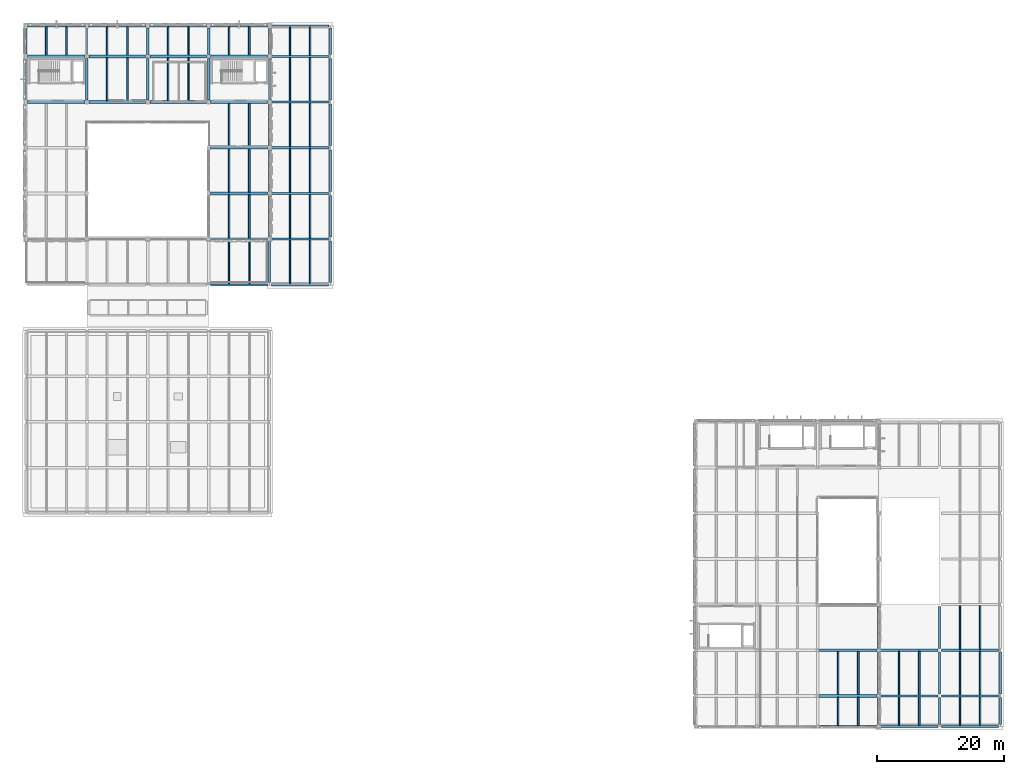
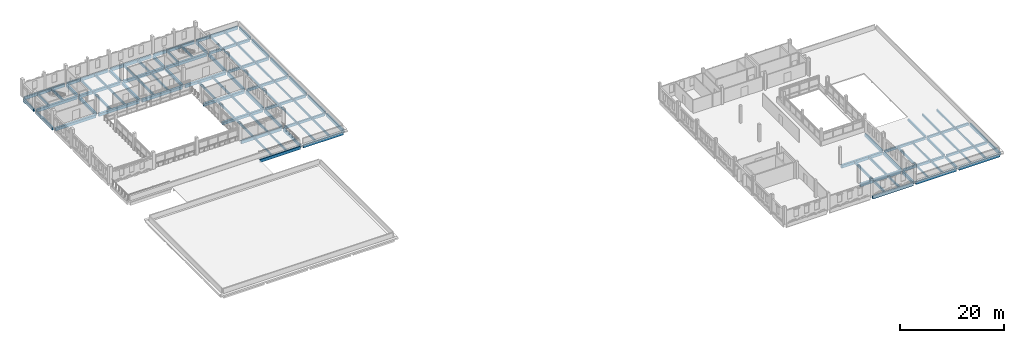
# One storey, part 21 of 50: 106 beams.
"""IFC4 building model written with IfcOpenShell, lengths in metres."""

from ifc_helpers import new_model, si_unit, direction, frame, origin, origin_2d, place, context, subcontext, project, spatial, rectangle, extrude, material, material_profile, profile_set, type_object, element, save


model = new_model("IFC4")

# Units and contexts
model_context = context("Model", 3, precision=1e-05, world=origin(), true_north=direction((0.0, 1.0)))
body_context = subcontext(model_context, "Body", "Model", "MODEL_VIEW")
ifc_project = project(units=[si_unit("LENGTHUNIT", "METRE"), si_unit("AREAUNIT", "SQUARE_METRE"), si_unit("VOLUMEUNIT", "CUBIC_METRE"), si_unit("PLANEANGLEUNIT", "RADIAN"), si_unit("MASSUNIT", "GRAM", prefix="KILO")], contexts=[model_context])

# Site, building, storey
site_placement = place(None, origin())
site = spatial("IfcSite", under=ifc_project, at=site_placement, CompositionType="ELEMENT")
building_placement = place(site_placement, origin())
building = spatial("IfcBuilding", under=site, at=building_placement, Name="Asteropetra Specialist Clinic", CompositionType="ELEMENT")
storey_placement = place(building_placement, frame((0.0, 0.0, 16.659912109375)))
storey = spatial("IfcBuildingStorey", under=building, at=storey_placement, Name="L04", CompositionType="ELEMENT", Elevation=16.659912109375)

# Beams
ifc_material_1 = material(Name="Concrete C35/45", Category="concrete")
ifc_material_profile_1 = material_profile(ifc_material_1, rectangle(XDim=0.320068359375, YDim=0.52001953125, at=origin_2d()), Name="RCB 320x520")
ifc_profile_set_1 = profile_set([ifc_material_profile_1], Name="Concrete C35/45")
beam_type_1 = type_object("IfcBeamType", Name="BM-RC320x520", PredefinedType="BEAM", material=ifc_profile_set_1)
beam_1_placement = place(storey_placement, frame((144.0, 0.27490234375, -0.510009765625), z_axis=(0.0, 1.0, 0.0), x_axis=(-1.0, 0.0, 0.0)))
element("IfcBeam", 1, at=beam_1_placement, inside=storey, type_object=beam_type_1, Name="Beam BBM11-1941", PredefinedType="BEAM", context=body_context, shape_type="SweptSolid", body=[
    extrude(rectangle(XDim=0.320068359375, YDim=0.52001953125, at=origin_2d()), origin(), (0.0, 0.0, 1.0), 4.25),
])
for number, where, z_axis, x_axis, name in (
    (2, (144.0, 5.074951171875, -0.510009765625), (0.0, 1.0, 0.0), (-1.0, 0.0, 0.0), "Beam BBM11-1947"),
    (3, (144.0, 12.27490234375, -0.510009765625), (0.0, 1.0, 0.0), (-1.0, 0.0, 0.0), "Beam BBM11-1953"),
):
    element("IfcBeam", number, at=place(storey_placement, frame(where, z_axis=z_axis, x_axis=x_axis)), inside=storey, type_object=beam_type_1, Name=name, PredefinedType="BEAM", context=body_context, shape_type="SweptSolid", body=[
        extrude(rectangle(XDim=0.320068359375, YDim=0.52001953125, at=origin_2d()), origin(), (0.0, 0.0, 1.0), 6.650146484375),
    ])
ifc_material_2 = material(Name="Concrete C35/45", Category="concrete")
ifc_material_profile_2 = material_profile(ifc_material_2, rectangle(XDim=0.35009765625, YDim=0.550048828125, at=origin_2d()), Name="RCB 350x550")
ifc_profile_set_2 = profile_set([ifc_material_profile_2], Name="Concrete C35/45")
beam_type_2 = type_object("IfcBeamType", Name="BM-RC350x550", PredefinedType="BEAM", material=ifc_profile_set_2)
for number, where, z_axis, x_axis, name in (
    (4, (134.675048828125, 4.800048828125, -0.52490234375), (1.0, 0.0, 0.0), (0.0, 1.0, 0.0), "Beam BBM10-1930"),
    (5, (144.27490234375, 4.800048828125, -0.52490234375), (1.0, 0.0, 0.0), (0.0, 1.0, 0.0), "Beam BBM10-1931"),
    (6, (134.675048828125, 12.0, -0.52490234375), (1.0, 0.0, 0.0), (0.0, 1.0, 0.0), "Beam BBM10-1932"),
    (7, (144.27490234375, 12.0, -0.52490234375), (1.0, 0.0, 0.0), (0.0, 1.0, 0.0), "Beam BBM10-1933"),
):
    element("IfcBeam", number, at=place(storey_placement, frame(where, z_axis=z_axis, x_axis=x_axis)), inside=storey, type_object=beam_type_2, Name=name, PredefinedType="BEAM", context=body_context, shape_type="SweptSolid", body=[
        extrude(rectangle(XDim=0.35009765625, YDim=0.550048828125, at=origin_2d()), origin(), (0.0, 0.0, 1.0), 9.050048828125),
    ])
ifc_material_3 = material(Name="Concrete C35/45", Category="concrete")
ifc_material_profile_3 = material_profile(ifc_material_3, rectangle(XDim=0.35009765625, YDim=0.60009765625, at=origin_2d()), Name="RCB 350x600")
ifc_profile_set_3 = profile_set([ifc_material_profile_3], Name="Concrete C35/45")
beam_type_3 = type_object("IfcBeamType", Name="BM-RC350x600", PredefinedType="BEAM", material=ifc_profile_set_3)
for number, where, z_axis, x_axis, name in (
    (8, (38.72509765625, 76.800048828125, -0.56982421875), (1.0, 0.0, 0.0), (0.0, 1.0, 0.0), "Beam BBM09-1832"),
    (9, (38.72509765625, 84.0, -0.56982421875), (1.0, 0.0, 0.0), (0.0, 1.0, 0.0), "Beam BBM09-1833"),
    (10, (38.72509765625, 91.199951171875, -0.56982421875), (1.0, 0.0, 0.0), (0.0, 1.0, 0.0), "Beam BBM09-1834"),
    (11, (38.72509765625, 98.39990234375, -0.56982421875), (1.0, 0.0, 0.0), (0.0, 1.0, 0.0), "Beam BBM09-1835"),
    (12, (38.72509765625, 105.60009765625, -0.56982421875), (1.0, 0.0, 0.0), (0.0, 1.0, 0.0), "Beam BBM09-1836"),
):
    element("IfcBeam", number, at=place(storey_placement, frame(where, z_axis=z_axis, x_axis=x_axis)), inside=storey, type_object=beam_type_3, Name=name, PredefinedType="BEAM", context=body_context, shape_type="SweptSolid", body=[
        extrude(rectangle(XDim=0.35009765625, YDim=0.60009765625, at=origin_2d()), origin(), (0.0, 0.0, 1.0), 8.949951171875),
    ])
ifc_material_4 = material(Name="Concrete C35/45", Category="concrete")
ifc_material_profile_4 = material_profile(ifc_material_4, rectangle(XDim=0.39990234375, YDim=0.60009765625, at=origin_2d()), Name="RCB 400x600")
ifc_profile_set_4 = profile_set([ifc_material_profile_4], Name="Concrete C35/45")
beam_type_4 = type_object("IfcBeamType", Name="BM-RC400x600", PredefinedType="BEAM", material=ifc_profile_set_4)
for number, where, z_axis, x_axis, name in (
    (13, (9.60009765625, 98.72509765625, -0.579833984375), (0.0, 1.0, 0.0), (-1.0, 0.0, 0.0), "Beam BBM08-1810"),
    (14, (19.199951171875, 98.72509765625, -0.579833984375), (0.0, 1.0, 0.0), (-1.0, 0.0, 0.0), "Beam BBM08-1811"),
    (15, (28.800048828125, 98.72509765625, -0.579833984375), (0.0, 1.0, 0.0), (-1.0, 0.0, 0.0), "Beam BBM08-1812"),
):
    element("IfcBeam", number, at=place(storey_placement, frame(where, z_axis=z_axis, x_axis=x_axis)), inside=storey, type_object=beam_type_4, Name=name, PredefinedType="BEAM", context=body_context, shape_type="SweptSolid", body=[
        extrude(rectangle(XDim=0.39990234375, YDim=0.60009765625, at=origin_2d()), origin(), (0.0, 0.0, 1.0), 6.5498046875),
    ])
for number, where, z_axis, x_axis, name in (
    (16, (9.60009765625, 105.925048828125, -0.579833984375), (0.0, 1.0, 0.0), (-1.0, 0.0, 0.0), "Beam BBM08-1819"),
    (17, (19.199951171875, 105.925048828125, -0.579833984375), (0.0, 1.0, 0.0), (-1.0, 0.0, 0.0), "Beam BBM08-1820"),
    (18, (28.800048828125, 105.925048828125, -0.579833984375), (0.0, 1.0, 0.0), (-1.0, 0.0, 0.0), "Beam BBM08-1821"),
):
    element("IfcBeam", number, at=place(storey_placement, frame(where, z_axis=z_axis, x_axis=x_axis)), inside=storey, type_object=beam_type_4, Name=name, PredefinedType="BEAM", context=body_context, shape_type="SweptSolid", body=[
        extrude(rectangle(XDim=0.39990234375, YDim=0.60009765625, at=origin_2d()), origin(), (0.0, 0.0, 1.0), 4.125),
    ])
ifc_material_5 = material(Name="Concrete C35/45", Category="concrete")
ifc_material_profile_5 = material_profile(ifc_material_5, rectangle(XDim=0.449951171875, YDim=0.64990234375, at=origin_2d()), Name="RCB 450x650")
ifc_profile_set_5 = profile_set([ifc_material_profile_5], Name="Concrete C35/45")
beam_type_5 = type_object("IfcBeamType", Name="BM-RC450x650", PredefinedType="BEAM", material=ifc_profile_set_5)
for number, where, z_axis, x_axis, name in (
    (19, (29.125, 84.0, -0.60498046875), (1.0, 0.0, 0.0), (0.0, 1.0, 0.0), "Beam BBM06-1776"),
    (20, (29.125, 91.199951171875, -0.60498046875), (1.0, 0.0, 0.0), (0.0, 1.0, 0.0), "Beam BBM06-1778"),
):
    element("IfcBeam", number, at=place(storey_placement, frame(where, z_axis=z_axis, x_axis=x_axis)), inside=storey, type_object=beam_type_5, Name=name, PredefinedType="BEAM", context=body_context, shape_type="SweptSolid", body=[
        extrude(rectangle(XDim=0.449951171875, YDim=0.64990234375, at=origin_2d()), origin(), (0.0, 0.0, 1.0), 8.949951171875),
    ])
beam_2_placement = place(storey_placement, frame((0.27490234375, 98.39990234375, -0.60498046875), z_axis=(1.0, 0.0, 0.0), x_axis=(0.0, 1.0, 0.0)))
element("IfcBeam", 21, at=beam_2_placement, inside=storey, type_object=beam_type_5, Name="Beam BBM06-1779", PredefinedType="BEAM", context=body_context, shape_type="SweptSolid", body=[
    extrude(rectangle(XDim=0.449951171875, YDim=0.64990234375, at=origin_2d()), origin(), (0.0, 0.0, 1.0), 9.0),
])
beam_3_placement = place(storey_placement, frame((9.925048828125, 98.39990234375, -0.60498046875), z_axis=(1.0, 0.0, 0.0), x_axis=(0.0, 1.0, 0.0)))
element("IfcBeam", 22, at=beam_3_placement, inside=storey, type_object=beam_type_5, Name="Beam BBM06-1780", PredefinedType="BEAM", context=body_context, shape_type="SweptSolid", body=[
    extrude(rectangle(XDim=0.449951171875, YDim=0.64990234375, at=origin_2d()), origin(), (0.0, 0.0, 1.0), 8.949951171875),
])
beam_4_placement = place(storey_placement, frame((19.52490234375, 98.39990234375, -0.60498046875), z_axis=(1.0, 0.0, 0.0), x_axis=(0.0, 1.0, 0.0)))
element("IfcBeam", 23, at=beam_4_placement, inside=storey, type_object=beam_type_5, Name="Beam BBM06-1781", PredefinedType="BEAM", context=body_context, shape_type="SweptSolid", body=[
    extrude(rectangle(XDim=0.449951171875, YDim=0.64990234375, at=origin_2d()), origin(), (0.0, 0.0, 1.0), 8.9501953125),
])
beam_5_placement = place(storey_placement, frame((29.125, 98.39990234375, -0.60498046875), z_axis=(1.0, 0.0, 0.0), x_axis=(0.0, 1.0, 0.0)))
element("IfcBeam", 24, at=beam_5_placement, inside=storey, type_object=beam_type_5, Name="Beam BBM06-1782", PredefinedType="BEAM", context=body_context, shape_type="SweptSolid", body=[
    extrude(rectangle(XDim=0.449951171875, YDim=0.64990234375, at=origin_2d()), origin(), (0.0, 0.0, 1.0), 8.949951171875),
])
beam_6_placement = place(storey_placement, frame((0.27490234375, 105.60009765625, -0.60498046875), z_axis=(1.0, 0.0, 0.0), x_axis=(0.0, 1.0, 0.0)))
element("IfcBeam", 25, at=beam_6_placement, inside=storey, type_object=beam_type_5, Name="Beam BBM06-1783", PredefinedType="BEAM", context=body_context, shape_type="SweptSolid", body=[
    extrude(rectangle(XDim=0.449951171875, YDim=0.64990234375, at=origin_2d()), origin(), (0.0, 0.0, 1.0), 9.0),
])
beam_7_placement = place(storey_placement, frame((9.925048828125, 105.60009765625, -0.60498046875), z_axis=(1.0, 0.0, 0.0), x_axis=(0.0, 1.0, 0.0)))
element("IfcBeam", 26, at=beam_7_placement, inside=storey, type_object=beam_type_5, Name="Beam BBM06-1784", PredefinedType="BEAM", context=body_context, shape_type="SweptSolid", body=[
    extrude(rectangle(XDim=0.449951171875, YDim=0.64990234375, at=origin_2d()), origin(), (0.0, 0.0, 1.0), 8.949951171875),
])
beam_8_placement = place(storey_placement, frame((19.52490234375, 105.60009765625, -0.60498046875), z_axis=(1.0, 0.0, 0.0), x_axis=(0.0, 1.0, 0.0)))
element("IfcBeam", 27, at=beam_8_placement, inside=storey, type_object=beam_type_5, Name="Beam BBM06-1785", PredefinedType="BEAM", context=body_context, shape_type="SweptSolid", body=[
    extrude(rectangle(XDim=0.449951171875, YDim=0.64990234375, at=origin_2d()), origin(), (0.0, 0.0, 1.0), 8.9501953125),
])
beam_9_placement = place(storey_placement, frame((29.125, 105.60009765625, -0.60498046875), z_axis=(1.0, 0.0, 0.0), x_axis=(0.0, 1.0, 0.0)))
element("IfcBeam", 28, at=beam_9_placement, inside=storey, type_object=beam_type_5, Name="Beam BBM06-1786", PredefinedType="BEAM", context=body_context, shape_type="SweptSolid", body=[
    extrude(rectangle(XDim=0.449951171875, YDim=0.64990234375, at=origin_2d()), origin(), (0.0, 0.0, 1.0), 8.949951171875),
])
ifc_material_6 = material(Name="Concrete C35/45", Category="concrete")
ifc_material_profile_6 = material_profile(ifc_material_6, rectangle(XDim=0.449951171875, YDim=0.699951171875, at=origin_2d()), Name="RCB 450x700")
ifc_profile_set_6 = profile_set([ifc_material_profile_6], Name="Concrete C35/45")
beam_type_6 = type_object("IfcBeamType", Name="BM-RC450x700", PredefinedType="BEAM", material=ifc_profile_set_6)
for number, where, z_axis, x_axis, name in (
    (29, (125.074951171875, 4.800048828125, -0.64990234375), (1.0, 0.0, 0.0), (0.0, 1.0, 0.0), "Beam BBM05-1709"),
    (30, (125.074951171875, 12.0, -0.64990234375), (1.0, 0.0, 0.0), (0.0, 1.0, 0.0), "Beam BBM05-1712"),
):
    element("IfcBeam", number, at=place(storey_placement, frame(where, z_axis=z_axis, x_axis=x_axis)), inside=storey, type_object=beam_type_6, Name=name, PredefinedType="BEAM", context=body_context, shape_type="SweptSolid", body=[
        extrude(rectangle(XDim=0.449951171875, YDim=0.699951171875, at=origin_2d()), origin(), (0.0, 0.0, 1.0), 9.050048828125),
    ])
ifc_material_7 = material(Name="Concrete C35/45", Category="concrete")
ifc_material_profile_7 = material_profile(ifc_material_7, rectangle(XDim=0.239990234375, YDim=0.449951171875, at=origin_2d()), Name="RCJ 240x450")
ifc_profile_set_7 = profile_set([ifc_material_profile_7], Name="Concrete C35/45")
beam_type_7 = type_object("IfcBeamType", Name="JST-RC240x450", PredefinedType="JOIST", material=ifc_profile_set_7)
for number, where, z_axis, x_axis, name in (
    (31, (32.0, 69.760009765625, -0.534912109375), (0.0, 1.0, 0.0), (-1.0, 0.0, 0.0), "Joist JJST03-1702"),
    (32, (35.199951171875, 69.760009765625, -0.534912109375), (0.0, 1.0, 0.0), (-1.0, 0.0, 0.0), "Joist JJST03-1703"),
):
    element("IfcBeam", number, at=place(storey_placement, frame(where, z_axis=z_axis, x_axis=x_axis)), inside=storey, type_object=beam_type_7, Name=name, PredefinedType="JOIST", context=body_context, shape_type="SweptSolid", body=[
        extrude(rectangle(XDim=0.239990234375, YDim=0.449951171875, at=origin_2d()), origin(), (0.0, 0.0, 1.0), 6.8798828125),
    ])
for number, where, z_axis, x_axis, name in (
    (33, (41.60009765625, 69.760009765625, -0.494873046875), (0.0, 1.0, 0.0), (-1.0, 0.0, 0.0), "Joist JJST03-1839"),
    (34, (44.800048828125, 69.760009765625, -0.494873046875), (0.0, 1.0, 0.0), (-1.0, 0.0, 0.0), "Joist JJST03-1840"),
):
    element("IfcBeam", number, at=place(storey_placement, frame(where, z_axis=z_axis, x_axis=x_axis)), inside=storey, type_object=beam_type_7, Name=name, PredefinedType="JOIST", context=body_context, shape_type="SweptSolid", body=[
        extrude(rectangle(XDim=0.239990234375, YDim=0.449951171875, at=origin_2d()), origin(), (0.0, 0.0, 1.0), 6.864990234375),
    ])
for number, where, z_axis, x_axis, name in (
    (35, (41.60009765625, 76.97509765625, -0.494873046875), (0.0, 1.0, 0.0), (-1.0, 0.0, 0.0), "Joist JJST03-1842"),
    (36, (44.800048828125, 76.97509765625, -0.494873046875), (0.0, 1.0, 0.0), (-1.0, 0.0, 0.0), "Joist JJST03-1843"),
    (37, (41.60009765625, 84.175048828125, -0.494873046875), (0.0, 1.0, 0.0), (-1.0, 0.0, 0.0), "Joist JJST03-1845"),
    (38, (44.800048828125, 84.175048828125, -0.494873046875), (0.0, 1.0, 0.0), (-1.0, 0.0, 0.0), "Joist JJST03-1846"),
):
    element("IfcBeam", number, at=place(storey_placement, frame(where, z_axis=z_axis, x_axis=x_axis)), inside=storey, type_object=beam_type_7, Name=name, PredefinedType="JOIST", context=body_context, shape_type="SweptSolid", body=[
        extrude(rectangle(XDim=0.239990234375, YDim=0.449951171875, at=origin_2d()), origin(), (0.0, 0.0, 1.0), 6.849853515625),
    ])
for number, where, z_axis, x_axis, name in (
    (39, (41.60009765625, 91.375, -0.494873046875), (0.0, 1.0, 0.0), (-1.0, 0.0, 0.0), "Joist JJST03-1848"),
    (40, (44.800048828125, 91.375, -0.494873046875), (0.0, 1.0, 0.0), (-1.0, 0.0, 0.0), "Joist JJST03-1849"),
    (41, (41.60009765625, 98.574951171875, -0.494873046875), (0.0, 1.0, 0.0), (-1.0, 0.0, 0.0), "Joist JJST03-1851"),
    (42, (44.800048828125, 98.574951171875, -0.494873046875), (0.0, 1.0, 0.0), (-1.0, 0.0, 0.0), "Joist JJST03-1852"),
):
    element("IfcBeam", number, at=place(storey_placement, frame(where, z_axis=z_axis, x_axis=x_axis)), inside=storey, type_object=beam_type_7, Name=name, PredefinedType="JOIST", context=body_context, shape_type="SweptSolid", body=[
        extrude(rectangle(XDim=0.239990234375, YDim=0.449951171875, at=origin_2d()), origin(), (0.0, 0.0, 1.0), 6.85009765625),
    ])
for number, where, z_axis, x_axis, name in (
    (43, (41.60009765625, 105.77490234375, -0.494873046875), (0.0, 1.0, 0.0), (-1.0, 0.0, 0.0), "Joist JJST03-1854"),
    (44, (44.800048828125, 105.77490234375, -0.494873046875), (0.0, 1.0, 0.0), (-1.0, 0.0, 0.0), "Joist JJST03-1855"),
    (45, (137.60009765625, 0.159912109375, -0.474853515625), (0.0, 1.0, 0.0), (-1.0, 0.0, 0.0), "Joist JJST03-1943"),
    (46, (140.800048828125, 0.159912109375, -0.474853515625), (0.0, 1.0, 0.0), (-1.0, 0.0, 0.0), "Joist JJST03-1944"),
    (47, (147.199951171875, 0.159912109375, -0.474853515625), (0.0, 1.0, 0.0), (-1.0, 0.0, 0.0), "Joist JJST03-1945"),
    (48, (150.39990234375, 0.159912109375, -0.474853515625), (0.0, 1.0, 0.0), (-1.0, 0.0, 0.0), "Joist JJST03-1946"),
):
    element("IfcBeam", number, at=place(storey_placement, frame(where, z_axis=z_axis, x_axis=x_axis)), inside=storey, type_object=beam_type_7, Name=name, PredefinedType="JOIST", context=body_context, shape_type="SweptSolid", body=[
        extrude(rectangle(XDim=0.239990234375, YDim=0.449951171875, at=origin_2d()), origin(), (0.0, 0.0, 1.0), 4.465087890625),
    ])
for number, where, z_axis, x_axis, name in (
    (49, (137.60009765625, 4.97509765625, -0.474853515625), (0.0, 1.0, 0.0), (-1.0, 0.0, 0.0), "Joist JJST03-1949"),
    (50, (140.800048828125, 4.97509765625, -0.474853515625), (0.0, 1.0, 0.0), (-1.0, 0.0, 0.0), "Joist JJST03-1950"),
    (51, (147.199951171875, 4.97509765625, -0.474853515625), (0.0, 1.0, 0.0), (-1.0, 0.0, 0.0), "Joist JJST03-1951"),
    (52, (150.39990234375, 4.97509765625, -0.474853515625), (0.0, 1.0, 0.0), (-1.0, 0.0, 0.0), "Joist JJST03-1952"),
    (53, (147.199951171875, 12.175048828125, -0.474853515625), (0.0, 1.0, 0.0), (-1.0, 0.0, 0.0), "Joist JJST03-1955"),
    (54, (150.39990234375, 12.175048828125, -0.474853515625), (0.0, 1.0, 0.0), (-1.0, 0.0, 0.0), "Joist JJST03-1956"),
):
    element("IfcBeam", number, at=place(storey_placement, frame(where, z_axis=z_axis, x_axis=x_axis)), inside=storey, type_object=beam_type_7, Name=name, PredefinedType="JOIST", context=body_context, shape_type="SweptSolid", body=[
        extrude(rectangle(XDim=0.239990234375, YDim=0.449951171875, at=origin_2d()), origin(), (0.0, 0.0, 1.0), 6.849853515625),
    ])
ifc_material_8 = material(Name="Concrete C35/45", Category="concrete")
ifc_material_profile_8 = material_profile(ifc_material_8, rectangle(XDim=0.260009765625, YDim=0.47998046875, at=origin_2d()), Name="RCJ 260x480")
ifc_profile_set_8 = profile_set([ifc_material_profile_8], Name="Concrete C35/45")
beam_type_8 = type_object("IfcBeamType", Name="JST-RC260x480", PredefinedType="JOIST", material=ifc_profile_set_8)
for number, where, z_axis, x_axis, name in (
    (55, (32.0, 76.9599609375, -0.52001953125), (0.0, 1.0, 0.0), (-1.0, 0.0, 0.0), "Joist JJST02-1795"),
    (56, (35.199951171875, 76.9599609375, -0.52001953125), (0.0, 1.0, 0.0), (-1.0, 0.0, 0.0), "Joist JJST02-1796"),
):
    element("IfcBeam", number, at=place(storey_placement, frame(where, z_axis=z_axis, x_axis=x_axis)), inside=storey, type_object=beam_type_8, Name=name, PredefinedType="JOIST", context=body_context, shape_type="SweptSolid", body=[
        extrude(rectangle(XDim=0.260009765625, YDim=0.47998046875, at=origin_2d()), origin(), (0.0, 0.0, 1.0), 6.81494140625),
    ])
for number, where, z_axis, x_axis, name in (
    (57, (32.0, 84.22509765625, -0.52001953125), (0.0, 1.0, 0.0), (-1.0, 0.0, 0.0), "Joist JJST02-1801"),
    (58, (35.199951171875, 84.22509765625, -0.52001953125), (0.0, 1.0, 0.0), (-1.0, 0.0, 0.0), "Joist JJST02-1802"),
    (59, (32.0, 91.425048828125, -0.52001953125), (0.0, 1.0, 0.0), (-1.0, 0.0, 0.0), "Joist JJST02-1807"),
    (60, (35.199951171875, 91.425048828125, -0.52001953125), (0.0, 1.0, 0.0), (-1.0, 0.0, 0.0), "Joist JJST02-1808"),
    (61, (12.800048828125, 98.625, -0.52001953125), (0.0, 1.0, 0.0), (-1.0, 0.0, 0.0), "Joist JJST02-1814"),
    (62, (16.0, 98.625, -0.52001953125), (0.0, 1.0, 0.0), (-1.0, 0.0, 0.0), "Joist JJST02-1815"),
    (63, (22.39990234375, 98.625, -0.52001953125), (0.0, 1.0, 0.0), (-1.0, 0.0, 0.0), "Joist JJST02-1816"),
    (64, (25.60009765625, 98.625, -0.52001953125), (0.0, 1.0, 0.0), (-1.0, 0.0, 0.0), "Joist JJST02-1817"),
):
    element("IfcBeam", number, at=place(storey_placement, frame(where, z_axis=z_axis, x_axis=x_axis)), inside=storey, type_object=beam_type_8, Name=name, PredefinedType="JOIST", context=body_context, shape_type="SweptSolid", body=[
        extrude(rectangle(XDim=0.260009765625, YDim=0.47998046875, at=origin_2d()), origin(), (0.0, 0.0, 1.0), 6.75),
    ])
for number, where, z_axis, x_axis, name in (
    (65, (3.199951171875, 105.824951171875, -0.52001953125), (0.0, 1.0, 0.0), (-1.0, 0.0, 0.0), "Joist JJST02-1823"),
    (66, (6.39990234375, 105.824951171875, -0.52001953125), (0.0, 1.0, 0.0), (-1.0, 0.0, 0.0), "Joist JJST02-1824"),
    (67, (12.800048828125, 105.824951171875, -0.52001953125), (0.0, 1.0, 0.0), (-1.0, 0.0, 0.0), "Joist JJST02-1825"),
    (68, (16.0, 105.824951171875, -0.52001953125), (0.0, 1.0, 0.0), (-1.0, 0.0, 0.0), "Joist JJST02-1826"),
    (69, (22.39990234375, 105.824951171875, -0.52001953125), (0.0, 1.0, 0.0), (-1.0, 0.0, 0.0), "Joist JJST02-1827"),
    (70, (25.60009765625, 105.824951171875, -0.52001953125), (0.0, 1.0, 0.0), (-1.0, 0.0, 0.0), "Joist JJST02-1828"),
    (71, (32.0, 105.824951171875, -0.52001953125), (0.0, 1.0, 0.0), (-1.0, 0.0, 0.0), "Joist JJST02-1829"),
    (72, (35.199951171875, 105.824951171875, -0.52001953125), (0.0, 1.0, 0.0), (-1.0, 0.0, 0.0), "Joist JJST02-1830"),
):
    element("IfcBeam", number, at=place(storey_placement, frame(where, z_axis=z_axis, x_axis=x_axis)), inside=storey, type_object=beam_type_8, Name=name, PredefinedType="JOIST", context=body_context, shape_type="SweptSolid", body=[
        extrude(rectangle(XDim=0.260009765625, YDim=0.47998046875, at=origin_2d()), origin(), (0.0, 0.0, 1.0), 4.4150390625),
    ])
ifc_material_9 = material(Name="Concrete C35/45", Category="concrete")
ifc_material_profile_9 = material_profile(ifc_material_9, rectangle(XDim=0.280029296875, YDim=0.52001953125, at=origin_2d()), Name="RCJ 280x520")
ifc_profile_set_9 = profile_set([ifc_material_profile_9], Name="Concrete C35/45")
beam_type_9 = type_object("IfcBeamType", Name="JST-RC280x520", PredefinedType="JOIST", material=ifc_profile_set_9)
for number, where, z_axis, x_axis, name in (
    (73, (128.0, 0.159912109375, -0.559814453125), (0.0, 1.0, 0.0), (-1.0, 0.0, 0.0), "Joist JJST01-1733"),
    (74, (131.199951171875, 0.159912109375, -0.559814453125), (0.0, 1.0, 0.0), (-1.0, 0.0, 0.0), "Joist JJST01-1734"),
):
    element("IfcBeam", number, at=place(storey_placement, frame(where, z_axis=z_axis, x_axis=x_axis)), inside=storey, type_object=beam_type_9, Name=name, PredefinedType="JOIST", context=body_context, shape_type="SweptSolid", body=[
        extrude(rectangle(XDim=0.280029296875, YDim=0.52001953125, at=origin_2d()), origin(), (0.0, 0.0, 1.0), 4.4150390625),
    ])
for number, where, z_axis, x_axis, name in (
    (75, (128.0, 5.02490234375, -0.559814453125), (0.0, 1.0, 0.0), (-1.0, 0.0, 0.0), "Joist JJST01-1743"),
    (76, (131.199951171875, 5.02490234375, -0.559814453125), (0.0, 1.0, 0.0), (-1.0, 0.0, 0.0), "Joist JJST01-1744"),
):
    element("IfcBeam", number, at=place(storey_placement, frame(where, z_axis=z_axis, x_axis=x_axis)), inside=storey, type_object=beam_type_9, Name=name, PredefinedType="JOIST", context=body_context, shape_type="SweptSolid", body=[
        extrude(rectangle(XDim=0.280029296875, YDim=0.52001953125, at=origin_2d()), origin(), (0.0, 0.0, 1.0), 6.75),
    ])
ifc_material_10 = material(Name="Concrete C35/45", Category="concrete")
ifc_material_profile_10 = material_profile(ifc_material_10, rectangle(XDim=0.320068359375, YDim=0.699951171875, at=origin_2d()), Name="RCS 320x700")
ifc_profile_set_10 = profile_set([ifc_material_profile_10], Name="Concrete C35/45")
beam_type_10 = type_object("IfcBeamType", Name="SPN-RC320x700", PredefinedType="SPANDREL", material=ifc_profile_set_10)
for number, where, z_axis, x_axis, name in (
    (77, (29.125, 69.60009765625, -0.659912109375), (1.0, 0.0, 0.0), (0.0, 1.0, 0.0), "Beam BSPN02-1686"),
    (78, (29.125, 76.800048828125, -0.659912109375), (1.0, 0.0, 0.0), (0.0, 1.0, 0.0), "Beam BSPN02-1690"),
):
    element("IfcBeam", number, at=place(storey_placement, frame(where, z_axis=z_axis, x_axis=x_axis)), inside=storey, type_object=beam_type_10, Name=name, PredefinedType="SPANDREL", context=body_context, shape_type="SweptSolid", body=[
        extrude(rectangle(XDim=0.320068359375, YDim=0.699951171875, at=origin_2d()), origin(), (0.0, 0.0, 1.0), 8.949951171875),
    ])
beam_10_placement = place(storey_placement, frame((38.39990234375, 69.925048828125, -0.659912109375), z_axis=(0.0, 1.0, 0.0), x_axis=(-1.0, 0.0, 0.0)))
element("IfcBeam", 79, at=beam_10_placement, inside=storey, type_object=beam_type_10, Name="Beam BSPN02-1695", PredefinedType="SPANDREL", context=body_context, shape_type="SweptSolid", body=[
    extrude(rectangle(XDim=0.320068359375, YDim=0.699951171875, at=origin_2d()), origin(), (0.0, 0.0, 1.0), 6.550048828125),
])
beam_11_placement = place(storey_placement, frame((125.074951171875, 0.0, -0.64990234375), z_axis=(1.0, 0.0, 0.0), x_axis=(0.0, 1.0, 0.0)))
element("IfcBeam", 80, at=beam_11_placement, inside=storey, type_object=beam_type_10, Name="Beam BSPN02-1706", PredefinedType="SPANDREL", context=body_context, shape_type="SweptSolid", body=[
    extrude(rectangle(XDim=0.320068359375, YDim=0.699951171875, at=origin_2d()), origin(), (0.0, 0.0, 1.0), 9.050048828125),
])
beam_12_placement = place(storey_placement, frame((134.39990234375, 0.27490234375, -0.64990234375), z_axis=(0.0, 1.0, 0.0), x_axis=(-1.0, 0.0, 0.0)))
element("IfcBeam", 81, at=beam_12_placement, inside=storey, type_object=beam_type_10, Name="Beam BSPN02-1728", PredefinedType="SPANDREL", context=body_context, shape_type="SweptSolid", body=[
    extrude(rectangle(XDim=0.320068359375, YDim=0.699951171875, at=origin_2d()), origin(), (0.0, 0.0, 1.0), 4.25),
])
for number, where, z_axis, x_axis, name in (
    (82, (134.39990234375, 5.074951171875, -0.64990234375), (0.0, 1.0, 0.0), (-1.0, 0.0, 0.0), "Beam BSPN02-1738"),
    (83, (134.39990234375, 12.27490234375, -0.64990234375), (0.0, 1.0, 0.0), (-1.0, 0.0, 0.0), "Beam BSPN02-1748"),
):
    element("IfcBeam", number, at=place(storey_placement, frame(where, z_axis=z_axis, x_axis=x_axis)), inside=storey, type_object=beam_type_10, Name=name, PredefinedType="SPANDREL", context=body_context, shape_type="SweptSolid", body=[
        extrude(rectangle(XDim=0.320068359375, YDim=0.699951171875, at=origin_2d()), origin(), (0.0, 0.0, 1.0), 6.650146484375),
    ])
beam_13_placement = place(storey_placement, frame((0.27490234375, 110.39990234375, -0.6298828125), z_axis=(1.0, 0.0, 0.0), x_axis=(0.0, 1.0, 0.0)))
element("IfcBeam", 84, at=beam_13_placement, inside=storey, type_object=beam_type_10, Name="Beam BSPN02-1787", PredefinedType="SPANDREL", context=body_context, shape_type="SweptSolid", body=[
    extrude(rectangle(XDim=0.320068359375, YDim=0.699951171875, at=origin_2d()), origin(), (0.0, 0.0, 1.0), 9.0751953125),
])
beam_14_placement = place(storey_placement, frame((9.85009765625, 110.39990234375, -0.6298828125), z_axis=(1.0, 0.0, 0.0), x_axis=(0.0, 1.0, 0.0)))
element("IfcBeam", 85, at=beam_14_placement, inside=storey, type_object=beam_type_10, Name="Beam BSPN02-1788", PredefinedType="SPANDREL", context=body_context, shape_type="SweptSolid", body=[
    extrude(rectangle(XDim=0.320068359375, YDim=0.699951171875, at=origin_2d()), origin(), (0.0, 0.0, 1.0), 9.099853515625),
])
beam_15_placement = place(storey_placement, frame((19.449951171875, 110.39990234375, -0.6298828125), z_axis=(1.0, 0.0, 0.0), x_axis=(0.0, 1.0, 0.0)))
element("IfcBeam", 86, at=beam_15_placement, inside=storey, type_object=beam_type_10, Name="Beam BSPN02-1789", PredefinedType="SPANDREL", context=body_context, shape_type="SweptSolid", body=[
    extrude(rectangle(XDim=0.320068359375, YDim=0.699951171875, at=origin_2d()), origin(), (0.0, 0.0, 1.0), 9.10009765625),
])
beam_16_placement = place(storey_placement, frame((29.050048828125, 110.39990234375, -0.6298828125), z_axis=(1.0, 0.0, 0.0), x_axis=(0.0, 1.0, 0.0)))
element("IfcBeam", 87, at=beam_16_placement, inside=storey, type_object=beam_type_10, Name="Beam BSPN02-1790", PredefinedType="SPANDREL", context=body_context, shape_type="SweptSolid", body=[
    extrude(rectangle(XDim=0.320068359375, YDim=0.699951171875, at=origin_2d()), origin(), (0.0, 0.0, 1.0), 9.099853515625),
])
for number, where, z_axis, x_axis, name in (
    (88, (38.39990234375, 77.125, -0.6298828125), (0.0, 1.0, 0.0), (-1.0, 0.0, 0.0), "Beam BSPN02-1792"),
    (89, (38.39990234375, 84.324951171875, -0.6298828125), (0.0, 1.0, 0.0), (-1.0, 0.0, 0.0), "Beam BSPN02-1798"),
    (90, (38.39990234375, 91.52490234375, -0.6298828125), (0.0, 1.0, 0.0), (-1.0, 0.0, 0.0), "Beam BSPN02-1804"),
):
    element("IfcBeam", number, at=place(storey_placement, frame(where, z_axis=z_axis, x_axis=x_axis)), inside=storey, type_object=beam_type_10, Name=name, PredefinedType="SPANDREL", context=body_context, shape_type="SweptSolid", body=[
        extrude(rectangle(XDim=0.320068359375, YDim=0.699951171875, at=origin_2d()), origin(), (0.0, 0.0, 1.0), 6.550048828125),
    ])
beam_17_placement = place(storey_placement, frame((0.0, 98.77490234375, -0.6298828125), z_axis=(0.0, 1.0, 0.0), x_axis=(-1.0, 0.0, 0.0)))
element("IfcBeam", 91, at=beam_17_placement, inside=storey, type_object=beam_type_10, Name="Beam BSPN02-1809", PredefinedType="SPANDREL", context=body_context, shape_type="SweptSolid", body=[
    extrude(rectangle(XDim=0.320068359375, YDim=0.699951171875, at=origin_2d()), origin(), (0.0, 0.0, 1.0), 6.4501953125),
])
beam_18_placement = place(storey_placement, frame((38.39990234375, 98.72509765625, -0.6298828125), z_axis=(0.0, 1.0, 0.0), x_axis=(-1.0, 0.0, 0.0)))
element("IfcBeam", 92, at=beam_18_placement, inside=storey, type_object=beam_type_10, Name="Beam BSPN02-1813", PredefinedType="SPANDREL", context=body_context, shape_type="SweptSolid", body=[
    extrude(rectangle(XDim=0.320068359375, YDim=0.699951171875, at=origin_2d()), origin(), (0.0, 0.0, 1.0), 6.5498046875),
])
beam_19_placement = place(storey_placement, frame((0.0, 105.97509765625, -0.6298828125), z_axis=(0.0, 1.0, 0.0), x_axis=(-1.0, 0.0, 0.0)))
element("IfcBeam", 93, at=beam_19_placement, inside=storey, type_object=beam_type_10, Name="Beam BSPN02-1818", PredefinedType="SPANDREL", context=body_context, shape_type="SweptSolid", body=[
    extrude(rectangle(XDim=0.320068359375, YDim=0.699951171875, at=origin_2d()), origin(), (0.0, 0.0, 1.0), 4.0498046875),
])
beam_20_placement = place(storey_placement, frame((38.39990234375, 105.925048828125, -0.6298828125), z_axis=(0.0, 1.0, 0.0), x_axis=(-1.0, 0.0, 0.0)))
element("IfcBeam", 94, at=beam_20_placement, inside=storey, type_object=beam_type_10, Name="Beam BSPN02-1822", PredefinedType="SPANDREL", context=body_context, shape_type="SweptSolid", body=[
    extrude(rectangle(XDim=0.320068359375, YDim=0.699951171875, at=origin_2d()), origin(), (0.0, 0.0, 1.0), 4.125),
])
beam_21_placement = place(storey_placement, frame((38.72509765625, 69.60009765625, -0.619873046875), z_axis=(1.0, 0.0, 0.0), x_axis=(0.0, 1.0, 0.0)))
element("IfcBeam", 95, at=beam_21_placement, inside=storey, type_object=beam_type_10, Name="Beam BSPN02-1831", PredefinedType="SPANDREL", context=body_context, shape_type="SweptSolid", body=[
    extrude(rectangle(XDim=0.320068359375, YDim=0.699951171875, at=origin_2d()), origin(), (0.0, 0.0, 1.0), 8.949951171875),
])
beam_22_placement = place(storey_placement, frame((38.64990234375, 110.39990234375, -0.619873046875), z_axis=(1.0, 0.0, 0.0), x_axis=(0.0, 1.0, 0.0)))
element("IfcBeam", 96, at=beam_22_placement, inside=storey, type_object=beam_type_10, Name="Beam BSPN02-1837", PredefinedType="SPANDREL", context=body_context, shape_type="SweptSolid", body=[
    extrude(rectangle(XDim=0.320068359375, YDim=0.699951171875, at=origin_2d()), origin(), (0.0, 0.0, 1.0), 9.10009765625),
])
for number, where, z_axis, x_axis, name in (
    (97, (48.0, 69.925048828125, -0.619873046875), (0.0, 1.0, 0.0), (-1.0, 0.0, 0.0), "Beam BSPN02-1838"),
    (98, (48.0, 77.125, -0.619873046875), (0.0, 1.0, 0.0), (-1.0, 0.0, 0.0), "Beam BSPN02-1841"),
    (99, (48.0, 84.324951171875, -0.619873046875), (0.0, 1.0, 0.0), (-1.0, 0.0, 0.0), "Beam BSPN02-1844"),
    (100, (48.0, 91.52490234375, -0.619873046875), (0.0, 1.0, 0.0), (-1.0, 0.0, 0.0), "Beam BSPN02-1847"),
):
    element("IfcBeam", number, at=place(storey_placement, frame(where, z_axis=z_axis, x_axis=x_axis)), inside=storey, type_object=beam_type_10, Name=name, PredefinedType="SPANDREL", context=body_context, shape_type="SweptSolid", body=[
        extrude(rectangle(XDim=0.320068359375, YDim=0.699951171875, at=origin_2d()), origin(), (0.0, 0.0, 1.0), 6.550048828125),
    ])
beam_23_placement = place(storey_placement, frame((48.0, 98.72509765625, -0.619873046875), z_axis=(0.0, 1.0, 0.0), x_axis=(-1.0, 0.0, 0.0)))
element("IfcBeam", 101, at=beam_23_placement, inside=storey, type_object=beam_type_10, Name="Beam BSPN02-1850", PredefinedType="SPANDREL", context=body_context, shape_type="SweptSolid", body=[
    extrude(rectangle(XDim=0.320068359375, YDim=0.699951171875, at=origin_2d()), origin(), (0.0, 0.0, 1.0), 6.5498046875),
])
beam_24_placement = place(storey_placement, frame((48.0, 105.925048828125, -0.619873046875), z_axis=(0.0, 1.0, 0.0), x_axis=(-1.0, 0.0, 0.0)))
element("IfcBeam", 102, at=beam_24_placement, inside=storey, type_object=beam_type_10, Name="Beam BSPN02-1853", PredefinedType="SPANDREL", context=body_context, shape_type="SweptSolid", body=[
    extrude(rectangle(XDim=0.320068359375, YDim=0.699951171875, at=origin_2d()), origin(), (0.0, 0.0, 1.0), 4.125),
])
for number, where, z_axis, x_axis, name in (
    (103, (134.675048828125, 0.0, -0.599853515625), (1.0, 0.0, 0.0), (0.0, 1.0, 0.0), "Beam BSPN02-1928"),
    (104, (144.27490234375, 0.0, -0.599853515625), (1.0, 0.0, 0.0), (0.0, 1.0, 0.0), "Beam BSPN02-1929"),
):
    element("IfcBeam", number, at=place(storey_placement, frame(where, z_axis=z_axis, x_axis=x_axis)), inside=storey, type_object=beam_type_10, Name=name, PredefinedType="SPANDREL", context=body_context, shape_type="SweptSolid", body=[
        extrude(rectangle(XDim=0.320068359375, YDim=0.699951171875, at=origin_2d()), origin(), (0.0, 0.0, 1.0), 9.050048828125),
    ])
beam_25_placement = place(storey_placement, frame((153.60009765625, 0.27490234375, -0.599853515625), z_axis=(0.0, 1.0, 0.0), x_axis=(-1.0, 0.0, 0.0)))
element("IfcBeam", 105, at=beam_25_placement, inside=storey, type_object=beam_type_10, Name="Beam BSPN02-1942", PredefinedType="SPANDREL", context=body_context, shape_type="SweptSolid", body=[
    extrude(rectangle(XDim=0.320068359375, YDim=0.699951171875, at=origin_2d()), origin(), (0.0, 0.0, 1.0), 4.25),
])
beam_26_placement = place(storey_placement, frame((153.60009765625, 5.074951171875, -0.599853515625), z_axis=(0.0, 1.0, 0.0), x_axis=(-1.0, 0.0, 0.0)))
element("IfcBeam", 106, at=beam_26_placement, inside=storey, type_object=beam_type_10, Name="Beam BSPN02-1948", PredefinedType="SPANDREL", context=body_context, shape_type="SweptSolid", body=[
    extrude(rectangle(XDim=0.320068359375, YDim=0.699951171875, at=origin_2d()), origin(), (0.0, 0.0, 1.0), 6.650146484375),
])

save(model, "model.ifc")
